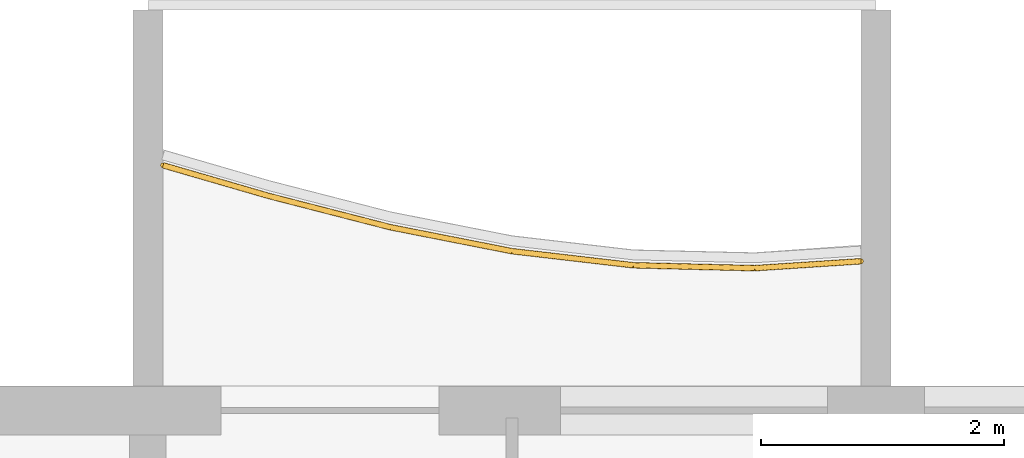
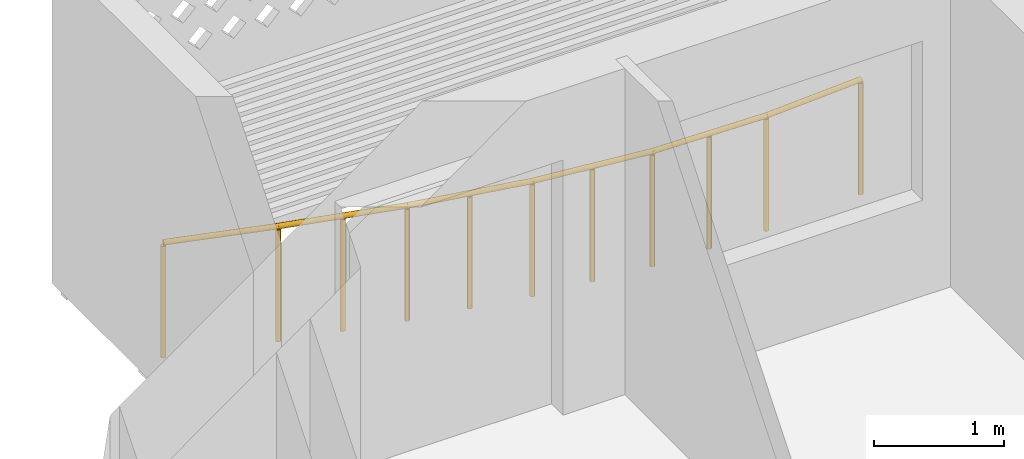
# One storey, part 18 of 33: 1 railing.
"""IFC4 building model written with IfcOpenShell, lengths in metres."""

from ifc_helpers import new_model, si_unit, direction, frame, origin, origin_2d, place, context, subcontext, project, spatial, circle, extrude, material, type_object, element, save


model = new_model("IFC4")

# Units and contexts
model_context = context("Model", 3, precision=1e-05, world=origin(), true_north=direction((0.0, 1.0)))
body_context = subcontext(model_context, "Body", "Model", "MODEL_VIEW")
ifc_project = project(units=[si_unit("LENGTHUNIT", "METRE"), si_unit("AREAUNIT", "SQUARE_METRE"), si_unit("VOLUMEUNIT", "CUBIC_METRE"), si_unit("PLANEANGLEUNIT", "RADIAN"), si_unit("MASSUNIT", "GRAM", prefix="KILO")], contexts=[model_context])

# Site, building, storey
site_placement = place(None, origin())
site = spatial("IfcSite", under=ifc_project, at=site_placement, CompositionType="ELEMENT")
building_placement = place(site_placement, origin())
building = spatial("IfcBuilding", under=site, at=building_placement, Name="Poui Terraces", CompositionType="ELEMENT")
storey_placement = place(building_placement, frame((0.0, 0.0, 132.300048828125)))
storey = spatial("IfcBuildingStorey", under=building, at=storey_placement, Name="L36", CompositionType="ELEMENT", Elevation=132.300048828125)

# Railing
ifc_material = material(Name="Painted steel fretwork", Category="steel")
railing_type = type_object("IfcRailingType", Name="BALCONY GUARD 1100", PredefinedType="GUARDRAIL", material=ifc_material)
railing_placement = place(storey_placement, frame((18.125, 44.420654296875, 0.0)))
element("IfcRailing", 1, at=railing_placement, inside=storey, type_object=railing_type, Name="BALCONY GUARD", PredefinedType="GUARDRAIL", context=body_context, shape_type="SweptSolid", body=[
    extrude(circle(Radius=0.02392578125, at=origin_2d()), frame((0.0, 0.0, 1.076171875), z_axis=(0.960454941812, -0.278435458857, 0.0), x_axis=(0.278435458857, 0.960454941812, 0.0)), (0.0, 0.0, 1.0), 0.9111328125),
    extrude(circle(Radius=0.02392578125, at=origin_2d()), frame((0.875, -0.253662109375, 1.076171875), z_axis=(0.968507596014, -0.248984008448, 0.0), x_axis=(0.248984008448, 0.968507596014, 0.0)), (0.0, 0.0, 1.0), 1.032470703125),
    extrude(circle(Radius=0.02392578125, at=origin_2d()), frame((1.875, -0.5107421875, 1.076171875), z_axis=(0.981184042676, -0.193074789648, 0.0), x_axis=(0.193074789648, 0.981184042676, 0.0)), (0.0, 0.0, 1.0), 1.019287109375),
    extrude(circle(Radius=0.02392578125, at=origin_2d()), frame((2.875, -0.70751953125, 1.076171875), z_axis=(0.993315142472, -0.11543408394, 0.0), x_axis=(0.11543408394, 0.993315142472, 0.0)), (0.0, 0.0, 1.0), 1.0068359375),
    extrude(circle(Radius=0.02392578125, at=origin_2d()), frame((3.875, -0.82373046875, 1.076171875), z_axis=(0.999713901321, -0.023918936116, 0.0), x_axis=(0.023918936116, 0.999713901321, 0.0)), (0.0, 0.0, 1.0), 1.000244140625),
    extrude(circle(Radius=0.02392578125, at=origin_2d()), frame((4.875, -0.84765625, 1.076171875), z_axis=(0.997875386497, 0.065151462176, 0.0), x_axis=(-0.065151462176, 0.997875386497, 0.0)), (0.0, 0.0, 1.0), 0.876953125),
    extrude(circle(Radius=0.02099609375, at=origin_2d()), origin(), (0.0, 0.0, 1.0), 1.052001953125),
    extrude(circle(Radius=0.02099609375, at=origin_2d()), frame((0.875, -0.253662109375, 0.0)), (0.0, 0.0, 1.0), 1.052001953125),
    extrude(circle(Radius=0.02099609375, at=origin_2d()), frame((1.375, -0.38232421875, 0.0)), (0.0, 0.0, 1.0), 1.052001953125),
    extrude(circle(Radius=0.02099609375, at=origin_2d()), frame((1.875, -0.5107421875, 0.0)), (0.0, 0.0, 1.0), 1.052001953125),
    extrude(circle(Radius=0.02099609375, at=origin_2d()), frame((2.375, -0.609130859375, 0.0)), (0.0, 0.0, 1.0), 1.052001953125),
    extrude(circle(Radius=0.02099609375, at=origin_2d()), frame((2.875, -0.70751953125, 0.0)), (0.0, 0.0, 1.0), 1.052001953125),
    extrude(circle(Radius=0.02099609375, at=origin_2d()), frame((3.375, -0.765625, 0.0)), (0.0, 0.0, 1.0), 1.052001953125),
    extrude(circle(Radius=0.02099609375, at=origin_2d()), frame((3.875, -0.82373046875, 0.0)), (0.0, 0.0, 1.0), 1.052001953125),
    extrude(circle(Radius=0.02099609375, at=origin_2d()), frame((4.375, -0.835693359375, 0.0)), (0.0, 0.0, 1.0), 1.052001953125),
    extrude(circle(Radius=0.02099609375, at=origin_2d()), frame((4.875, -0.84765625, 0.0)), (0.0, 0.0, 1.0), 1.052001953125),
    extrude(circle(Radius=0.02099609375, at=origin_2d()), frame((5.75, -0.79052734375, 0.0)), (0.0, 0.0, 1.0), 1.052001953125),
])

save(model, "model.ifc")
